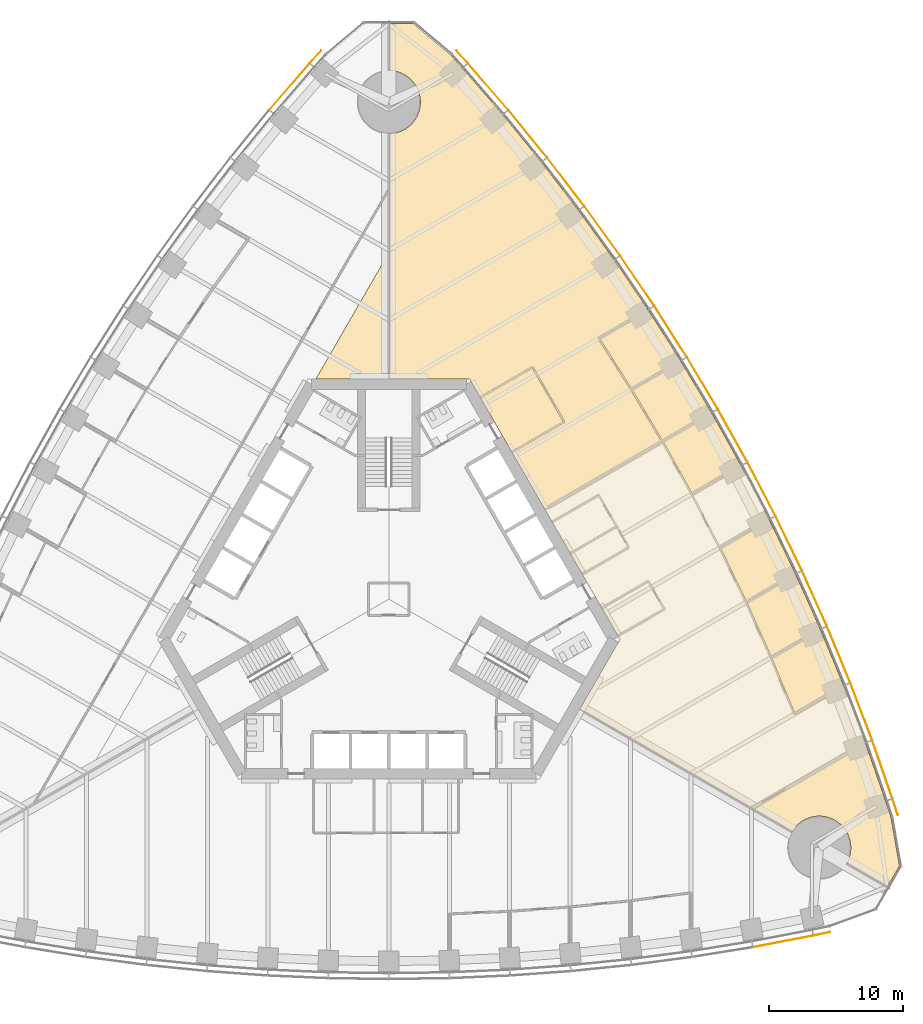
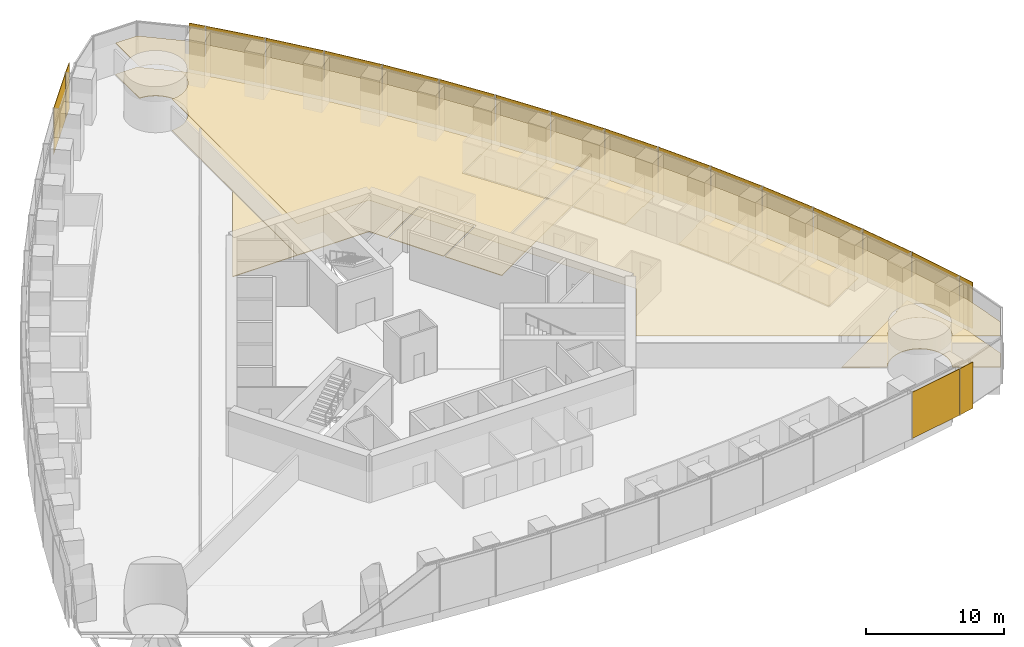
# One storey, part 16 of 18: 20 shading devices, 11 coverings.
"""IFC4 building model written with IfcOpenShell, lengths in metres."""

from ifc_helpers import new_model, si_unit, direction, frame, origin, origin_2d, place, context, subcontext, project, spatial, polyline, rectangle, outline, extrude, material, layer, layer_set, type_object, element, save


model = new_model("IFC4")

# Units and contexts
model_context = context("Model", 3, precision=1e-05, world=origin(), true_north=direction((0.0, 1.0)))
body_context = subcontext(model_context, "Body", "Model", "MODEL_VIEW")
ifc_project = project(units=[si_unit("LENGTHUNIT", "METRE"), si_unit("AREAUNIT", "SQUARE_METRE"), si_unit("VOLUMEUNIT", "CUBIC_METRE"), si_unit("PLANEANGLEUNIT", "RADIAN"), si_unit("MASSUNIT", "GRAM", prefix="KILO")], contexts=[model_context])

# Site, building, storey
site_placement = place(None, origin())
site = spatial("IfcSite", under=ifc_project, at=site_placement, CompositionType="ELEMENT")
building_placement = place(site_placement, origin())
building = spatial("IfcBuilding", under=site, at=building_placement, Name="Trefoil Bronze Tower", CompositionType="ELEMENT")
storey_placement = place(building_placement, frame((0.0, 0.0, 50.10009765625)))
storey = spatial("IfcBuildingStorey", under=building, at=storey_placement, Name="L11", CompositionType="ELEMENT", Elevation=50.10009765625)

# Shading devices
ifc_material_1 = material(Name="Perforated bronze sheet", Category="bronze")
ifc_layer_1 = layer(ifc_material_1, 0.0400390625)
ifc_layer_set_1 = layer_set([ifc_layer_1], Name="Bronze solar screen panel")
shading_device_type = type_object("IfcShadingDeviceType", Name="Bronze solar screen panel", PredefinedType="SHUTTER", material=ifc_layer_set_1)
shading_device_1_placement = place(storey_placement, frame((29.351806640625, -25.478515625, 0.0498046875), z_axis=(0.0, 0.0, 1.0), x_axis=(0.982049823817, 0.188621694249, 0.0)))
element("IfcShadingDevice", 1, at=shading_device_1_placement, inside=storey, type_object=shading_device_type, Name="Solar screen CW-A L11 F1 bay 15", PredefinedType="SHUTTER", context=body_context, shape_type="SweptSolid", body=[
    extrude(rectangle(XDim=4.55224609375, YDim=0.0400390625, at=origin_2d()), origin(), (0.0, 0.0, 1.0), 4.10009765625),
])
for number, where, z_axis, x_axis, name in (
    (2, (32.2431640625, -24.91064453125, 0.0498046875), (0.0, 0.0, 1.0), (0.978302717041, 0.207180582657, 0.0), "Solar screen CW-A L11 F1 bay 16"),
    (3, (37.69482421875, -15.468017578125, 0.0498046875), (0.0, 0.0, 1.0), (-0.309727710769, 0.950825296877, 0.0), "Solar screen CW-A L11 F2 bay 1"),
):
    element("IfcShadingDevice", number, at=place(storey_placement, frame(where, z_axis=z_axis, x_axis=x_axis)), inside=storey, type_object=shading_device_type, Name=name, PredefinedType="SHUTTER", context=body_context, shape_type="SweptSolid", body=[
        extrude(rectangle(XDim=1.260498046875, YDim=0.0400390625, at=origin_2d()), origin(), (0.0, 0.0, 1.0), 4.10009765625),
    ])
shading_device_2_placement = place(storey_placement, frame((36.740966796875, -12.68017578125, 0.0498046875), z_axis=(0.0, 0.0, 1.0), x_axis=(-0.327673732984, 0.944790942332, 0.0)))
element("IfcShadingDevice", 4, at=shading_device_2_placement, inside=storey, type_object=shading_device_type, Name="Solar screen CW-A L11 F2 bay 2", PredefinedType="SHUTTER", context=body_context, shape_type="SweptSolid", body=[
    extrude(rectangle(XDim=4.55224609375, YDim=0.0400390625, at=origin_2d()), origin(), (0.0, 0.0, 1.0), 4.10009765625),
])
shading_device_3_placement = place(storey_placement, frame((35.1748046875, -8.3701171875, 0.0498046875), z_axis=(0.0, 0.0, 1.0), x_axis=(-0.355370585687, 0.934725492767, 0.0)))
element("IfcShadingDevice", 5, at=shading_device_3_placement, inside=storey, type_object=shading_device_type, Name="Solar screen CW-A L11 F2 bay 3", PredefinedType="SHUTTER", context=body_context, shape_type="SweptSolid", body=[
    extrude(rectangle(XDim=4.5283203125, YDim=0.0400390625, at=origin_2d()), origin(), (0.0, 0.0, 1.0), 4.10009765625),
])
shading_device_4_placement = place(storey_placement, frame((33.49072265625, -4.128173828125, 0.0498046875), z_axis=(0.0, 0.0, 1.0), x_axis=(-0.382629580712, 0.923901836758, 0.0)))
element("IfcShadingDevice", 6, at=shading_device_4_placement, inside=storey, type_object=shading_device_type, Name="Solar screen CW-A L11 F2 bay 4", PredefinedType="SHUTTER", context=body_context, shape_type="SweptSolid", body=[
    extrude(rectangle(XDim=4.5087890625, YDim=0.0400390625, at=origin_2d()), origin(), (0.0, 0.0, 1.0), 4.10009765625),
])
shading_device_5_placement = place(storey_placement, frame((31.68994140625, 0.04638671875, 0.0498046875), z_axis=(0.0, 0.0, 1.0), x_axis=(-0.40945635808, 0.912329705111, 0.0)))
element("IfcShadingDevice", 7, at=shading_device_5_placement, inside=storey, type_object=shading_device_type, Name="Solar screen CW-A L11 F2 bay 5", PredefinedType="SHUTTER", context=body_context, shape_type="SweptSolid", body=[
    extrude(rectangle(XDim=4.493408203125, YDim=0.0400390625, at=origin_2d()), origin(), (0.0, 0.0, 1.0), 4.10009765625),
])
shading_device_6_placement = place(storey_placement, frame((29.77392578125, 4.154541015625, 0.0498046875), z_axis=(0.0, 0.0, 1.0), x_axis=(-0.4358553457, 0.900016731858, 0.0)))
element("IfcShadingDevice", 8, at=shading_device_6_placement, inside=storey, type_object=shading_device_type, Name="Solar screen CW-A L11 F2 bay 6", PredefinedType="SHUTTER", context=body_context, shape_type="SweptSolid", body=[
    extrude(rectangle(XDim=4.48193359375, YDim=0.0400390625, at=origin_2d()), origin(), (0.0, 0.0, 1.0), 4.10009765625),
])
shading_device_7_placement = place(storey_placement, frame((27.74365234375, 8.1962890625, 0.0498046875), z_axis=(0.0, 0.0, 1.0), x_axis=(-0.46182981834, 0.886968555752, 0.0)))
element("IfcShadingDevice", 9, at=shading_device_7_placement, inside=storey, type_object=shading_device_type, Name="Solar screen CW-A L11 F2 bay 7", PredefinedType="SHUTTER", context=body_context, shape_type="SweptSolid", body=[
    extrude(rectangle(XDim=4.474365234375, YDim=0.0400390625, at=origin_2d()), origin(), (0.0, 0.0, 1.0), 4.10009765625),
])
for number, where, z_axis, x_axis, name in (
    (10, (25.599365234375, 12.172607421875, 0.0498046875), (0.0, 0.0, 1.0), (-0.487381940453, 0.873188893722, 0.0), "Solar screen CW-A L11 F2 bay 8"),
    (11, (23.341552734375, 16.083251953125, 0.0498046875), (0.0, 0.0, 1.0), (-0.51251279404, 0.858679588639, 0.0), "Solar screen CW-A L11 F2 bay 9"),
):
    element("IfcShadingDevice", number, at=place(storey_placement, frame(where, z_axis=z_axis, x_axis=x_axis)), inside=storey, type_object=shading_device_type, Name=name, PredefinedType="SHUTTER", context=body_context, shape_type="SweptSolid", body=[
        extrude(rectangle(XDim=4.470458984375, YDim=0.0400390625, at=origin_2d()), origin(), (0.0, 0.0, 1.0), 4.10009765625),
    ])
shading_device_8_placement = place(storey_placement, frame((20.97021484375, 19.928466796875, 0.0498046875), z_axis=(0.0, 0.0, 1.0), x_axis=(-0.537222392469, 0.843440632783, 0.0)))
element("IfcShadingDevice", 12, at=shading_device_8_placement, inside=storey, type_object=shading_device_type, Name="Solar screen CW-A L11 F2 bay 10", PredefinedType="SHUTTER", context=body_context, shape_type="SweptSolid", body=[
    extrude(rectangle(XDim=4.474365234375, YDim=0.0400390625, at=origin_2d()), origin(), (0.0, 0.0, 1.0), 4.10009765625),
])
shading_device_9_placement = place(storey_placement, frame((18.48486328125, 23.707763671875, 0.0498046875), z_axis=(0.0, 0.0, 1.0), x_axis=(-0.56150968077, 0.827470167681, 0.0)))
element("IfcShadingDevice", 13, at=shading_device_9_placement, inside=storey, type_object=shading_device_type, Name="Solar screen CW-A L11 F2 bay 11", PredefinedType="SHUTTER", context=body_context, shape_type="SweptSolid", body=[
    extrude(rectangle(XDim=4.48193359375, YDim=0.0400390625, at=origin_2d()), origin(), (0.0, 0.0, 1.0), 4.10009765625),
])
shading_device_10_placement = place(storey_placement, frame((15.88525390625, 27.421142578125, 0.0498046875), z_axis=(0.0, 0.0, 1.0), x_axis=(-0.585372522213, 0.810764460394, 0.0)))
element("IfcShadingDevice", 14, at=shading_device_10_placement, inside=storey, type_object=shading_device_type, Name="Solar screen CW-A L11 F2 bay 12", PredefinedType="SHUTTER", context=body_context, shape_type="SweptSolid", body=[
    extrude(rectangle(XDim=4.493408203125, YDim=0.0400390625, at=origin_2d()), origin(), (0.0, 0.0, 1.0), 4.10009765625),
])
shading_device_11_placement = place(storey_placement, frame((13.170166015625, 31.06787109375, 0.0498046875), z_axis=(0.0, 0.0, 1.0), x_axis=(-0.608807670879, 0.793317855515, 0.0)))
element("IfcShadingDevice", 15, at=shading_device_11_placement, inside=storey, type_object=shading_device_type, Name="Solar screen CW-A L11 F2 bay 13", PredefinedType="SHUTTER", context=body_context, shape_type="SweptSolid", body=[
    extrude(rectangle(XDim=4.5087890625, YDim=0.0400390625, at=origin_2d()), origin(), (0.0, 0.0, 1.0), 4.10009765625),
])
shading_device_12_placement = place(storey_placement, frame((10.338623046875, 34.6474609375, 0.0498046875), z_axis=(0.0, 0.0, 1.0), x_axis=(-0.631810729457, 0.775122701346, 0.0)))
element("IfcShadingDevice", 16, at=shading_device_12_placement, inside=storey, type_object=shading_device_type, Name="Solar screen CW-A L11 F2 bay 14", PredefinedType="SHUTTER", context=body_context, shape_type="SweptSolid", body=[
    extrude(rectangle(XDim=4.5283203125, YDim=0.0400390625, at=origin_2d()), origin(), (0.0, 0.0, 1.0), 4.10009765625),
])
shading_device_13_placement = place(storey_placement, frame((7.38916015625, 38.15869140625, 0.0498046875), z_axis=(0.0, 0.0, 1.0), x_axis=(-0.654376090833, 0.756169248083, 0.0)))
element("IfcShadingDevice", 17, at=shading_device_13_placement, inside=storey, type_object=shading_device_type, Name="Solar screen CW-A L11 F2 bay 15", PredefinedType="SHUTTER", context=body_context, shape_type="SweptSolid", body=[
    extrude(rectangle(XDim=4.55224609375, YDim=0.0400390625, at=origin_2d()), origin(), (0.0, 0.0, 1.0), 4.10009765625),
])
for number, where, z_axis, x_axis, name in (
    (18, (5.45166015625, 40.378662109375, 0.0498046875), (0.0, 0.0, 1.0), (-0.668575006272, 0.743644714221, 0.0), "Solar screen CW-A L11 F2 bay 16"),
    (19, (-5.45166015625, 40.378662109375, 0.0498046875), (0.0, 0.0, 1.0), (-0.668575006272, -0.743644714221, 0.0), "Solar screen CW-A L11 F3 bay 1"),
):
    element("IfcShadingDevice", number, at=place(storey_placement, frame(where, z_axis=z_axis, x_axis=x_axis)), inside=storey, type_object=shading_device_type, Name=name, PredefinedType="SHUTTER", context=body_context, shape_type="SweptSolid", body=[
        extrude(rectangle(XDim=1.260498046875, YDim=0.0400390625, at=origin_2d()), origin(), (0.0, 0.0, 1.0), 4.10009765625),
    ])
shading_device_14_placement = place(storey_placement, frame((-7.38916015625, 38.15869140625, 0.0498046875), z_axis=(0.0, 0.0, 1.0), x_axis=(-0.654376090833, -0.756169248083, 0.0)))
element("IfcShadingDevice", 20, at=shading_device_14_placement, inside=storey, type_object=shading_device_type, Name="Solar screen CW-A L11 F3 bay 2", PredefinedType="SHUTTER", context=body_context, shape_type="SweptSolid", body=[
    extrude(rectangle(XDim=4.55224609375, YDim=0.0400390625, at=origin_2d()), origin(), (0.0, 0.0, 1.0), 4.10009765625),
])

# Coverings
ifc_material_2 = material(Name="Acoustic ceiling panels", Category="mineral fibre")
ifc_layer_2 = layer(ifc_material_2, 0.02001953125)
ifc_layer_set_2 = layer_set([ifc_layer_2], Name="Office ceiling 20")
covering_type_1 = type_object("IfcCoveringType", Name="Office ceiling 20", PredefinedType="CEILING", material=ifc_layer_set_2)
covering_1_placement = place(storey_placement, frame((0.0, 0.0, 2.89990234375)))
element("IfcCovering", 21, at=covering_1_placement, inside=storey, type_object=covering_type_1, Name="Ceiling L11 Open-plan office F2", PredefinedType="CEILING", context=body_context, shape_type="SweptSolid", body=[
    extrude(outline(polyline([(5.4814453125, 39.537841796875), (8.47998046875, 36.072998046875), (11.360107421875, 32.53955078125), (14.123291015625, 28.938720703125), (16.771240234375, 25.271484375), (19.3046875, 21.537841796875), (21.724609375, 17.73876953125), (24.031005859375, 13.87451171875), (26.224609375, 9.944580078125), (28.3046875, 5.949462890625), (30.271240234375, 1.888671875), (32.123291015625, -2.23828125), (33.860107421875, -6.431640625), (35.47998046875, -10.6923828125), (36.9814453125, -15.021728515625), (37.381103515625, -16.248779296875), (38.0146484375, -19.841552734375), (37.110595703125, -21.4072265625), (34.084716796875, -19.661865234375), (34.115478515625, -19.60791015625), (34.167236328125, -19.5048828125), (34.214111328125, -19.3994140625), (34.255615234375, -19.291748046875), (34.291748046875, -19.18212890625), (34.322509765625, -19.071044921875), (34.347900390625, -18.95849609375), (34.367431640625, -18.8447265625), (34.381591796875, -18.730224609375), (34.39013671875, -18.615234375), (34.392822265625, -18.5), (34.39013671875, -18.384765625), (34.381591796875, -18.269775390625), (34.367431640625, -18.1552734375), (34.347900390625, -18.04150390625), (34.322509765625, -17.928955078125), (34.291748046875, -17.81787109375), (34.255615234375, -17.708251953125), (34.214111328125, -17.6005859375), (34.167236328125, -17.4951171875), (34.115478515625, -17.39208984375), (34.05859375, -17.2919921875), (33.996826171875, -17.1943359375), (33.930419921875, -17.10009765625), (33.859619140625, -17.00927734375), (33.7841796875, -16.921875), (33.70458984375, -16.83837890625), (33.62109375, -16.7587890625), (33.53369140625, -16.683349609375), (33.44287109375, -16.612548828125), (33.348388671875, -16.5458984375), (33.251220703125, -16.484375), (33.150634765625, -16.427490234375), (33.047607421875, -16.37548828125), (32.942138671875, -16.328857421875), (32.834716796875, -16.287353515625), (32.72509765625, -16.251220703125), (32.614013671875, -16.220458984375), (32.50146484375, -16.1953125), (32.3876953125, -16.17529296875), (32.273193359375, -16.161376953125), (32.158203125, -16.15283203125), (32.04296875, -16.14990234375), (31.927490234375, -16.15283203125), (31.8125, -16.161376953125), (31.697998046875, -16.17529296875), (31.58447265625, -16.1953125), (31.471923828125, -16.220458984375), (31.36083984375, -16.251220703125), (31.251220703125, -16.287353515625), (31.1435546875, -16.328857421875), (31.0380859375, -16.37548828125), (30.935302734375, -16.427490234375), (30.834716796875, -16.484375), (30.7373046875, -16.5458984375), (30.64306640625, -16.612548828125), (30.552001953125, -16.683349609375), (30.46484375, -16.7587890625), (30.381103515625, -16.83837890625), (30.3017578125, -16.921875), (30.226318359375, -17.00927734375), (30.155517578125, -17.10009765625), (30.089111328125, -17.1943359375), (30.02734375, -17.2919921875), (30.0146484375, -17.31396484375), (14.205810546875, -8.194580078125), (17.205078125, -3.0), (6.00439453125, 16.39990234375), (0.006103515625, 16.39990234375), (0.012939453125, 34.650390625), (0.115234375, 34.65283203125), (0.230224609375, 34.661376953125), (0.3447265625, 34.67529296875), (0.45849609375, 34.6953125), (0.571044921875, 34.720458984375), (0.68212890625, 34.751220703125), (0.791748046875, 34.787353515625), (0.8994140625, 34.828857421875), (1.0048828125, 34.87548828125), (1.10791015625, 34.927490234375), (1.2080078125, 34.984375), (1.3056640625, 35.0458984375), (1.39990234375, 35.112548828125), (1.49072265625, 35.183349609375), (1.578125, 35.2587890625), (1.66162109375, 35.33837890625), (1.7412109375, 35.421875), (1.816650390625, 35.50927734375), (1.887451171875, 35.60009765625), (1.9541015625, 35.6943359375), (2.015625, 35.7919921875), (2.072509765625, 35.89208984375), (2.12451171875, 35.9951171875), (2.171142578125, 36.1005859375), (2.212646484375, 36.208251953125), (2.248779296875, 36.31787109375), (2.279541015625, 36.428955078125), (2.3046875, 36.54150390625), (2.32470703125, 36.6552734375), (2.338623046875, 36.769775390625), (2.34716796875, 36.884765625), (2.35009765625, 37.0), (2.34716796875, 37.115234375), (2.338623046875, 37.230224609375), (2.32470703125, 37.3447265625), (2.3046875, 37.45849609375), (2.279541015625, 37.571044921875), (2.248779296875, 37.68212890625), (2.212646484375, 37.791748046875), (2.171142578125, 37.8994140625), (2.12451171875, 38.0048828125), (2.072509765625, 38.10791015625), (2.015625, 38.2080078125), (1.9541015625, 38.3056640625), (1.887451171875, 38.39990234375), (1.816650390625, 38.49072265625), (1.7412109375, 38.578125), (1.66162109375, 38.66162109375), (1.578125, 38.7412109375), (1.49072265625, 38.816650390625), (1.39990234375, 38.887451171875), (1.3056640625, 38.9541015625), (1.2080078125, 39.015625), (1.10791015625, 39.072509765625), (1.0048828125, 39.12451171875), (0.8994140625, 39.171142578125), (0.791748046875, 39.212646484375), (0.68212890625, 39.248779296875), (0.571044921875, 39.279541015625), (0.45849609375, 39.3046875), (0.3447265625, 39.32470703125), (0.230224609375, 39.338623046875), (0.115234375, 39.34716796875), (0.014892578125, 39.349609375), (0.01611328125, 42.84228515625), (1.82421875, 42.84228515625), (4.618896484375, 40.497314453125), (5.4814453125, 39.537841796875)])), origin(), (0.0, 0.0, 1.0), 0.02001953125),
])
ifc_material_3 = material(Name="Raised access floor panels", Category="steel")
ifc_layer_3 = layer(ifc_material_3, 0.050048828125)
ifc_layer_set_3 = layer_set([ifc_layer_3], Name="Raised access floor 150")
covering_type_2 = type_object("IfcCoveringType", Name="Raised access floor 150", PredefinedType="FLOORING", material=ifc_layer_set_3)
covering_2_placement = place(storey_placement, frame((0.0, 0.0, 0.099853515625)))
element("IfcCovering", 22, at=covering_2_placement, inside=storey, type_object=covering_type_2, Name="Raised floor L11 Boardroom F2", PredefinedType="FLOORING", context=body_context, shape_type="SweptSolid", body=[
    extrude(outline(polyline([(30.0146484375, -17.31396484375), (27.11181640625, -15.639404296875), (34.140625, -11.581298828125), (34.090576171875, -11.49462890625), (35.47998046875, -10.6923828125), (36.9814453125, -15.021728515625), (37.381103515625, -16.248779296875), (38.0146484375, -19.841552734375), (37.110595703125, -21.4072265625), (34.084716796875, -19.661865234375), (34.115478515625, -19.60791015625), (34.167236328125, -19.5048828125), (34.214111328125, -19.3994140625), (34.255615234375, -19.291748046875), (34.291748046875, -19.18212890625), (34.322509765625, -19.071044921875), (34.347900390625, -18.95849609375), (34.367431640625, -18.8447265625), (34.381591796875, -18.730224609375), (34.39013671875, -18.615234375), (34.392822265625, -18.5), (34.39013671875, -18.384765625), (34.381591796875, -18.269775390625), (34.367431640625, -18.1552734375), (34.347900390625, -18.04150390625), (34.322509765625, -17.928955078125), (34.291748046875, -17.81787109375), (34.255615234375, -17.708251953125), (34.214111328125, -17.6005859375), (34.167236328125, -17.4951171875), (34.115478515625, -17.39208984375), (34.05859375, -17.2919921875), (33.996826171875, -17.1943359375), (33.930419921875, -17.10009765625), (33.859619140625, -17.00927734375), (33.7841796875, -16.921875), (33.70458984375, -16.83837890625), (33.62109375, -16.7587890625), (33.53369140625, -16.683349609375), (33.44287109375, -16.612548828125), (33.348388671875, -16.5458984375), (33.251220703125, -16.484375), (33.150634765625, -16.427490234375), (33.047607421875, -16.37548828125), (32.942138671875, -16.328857421875), (32.834716796875, -16.287353515625), (32.72509765625, -16.251220703125), (32.614013671875, -16.220458984375), (32.50146484375, -16.1953125), (32.3876953125, -16.17529296875), (32.273193359375, -16.161376953125), (32.158203125, -16.15283203125), (32.04296875, -16.14990234375), (31.927490234375, -16.15283203125), (31.8125, -16.161376953125), (31.697998046875, -16.17529296875), (31.58447265625, -16.1953125), (31.471923828125, -16.220458984375), (31.36083984375, -16.251220703125), (31.251220703125, -16.287353515625), (31.1435546875, -16.328857421875), (31.0380859375, -16.37548828125), (30.935302734375, -16.427490234375), (30.834716796875, -16.484375), (30.7373046875, -16.5458984375), (30.64306640625, -16.612548828125), (30.552001953125, -16.683349609375), (30.46484375, -16.7587890625), (30.381103515625, -16.83837890625), (30.3017578125, -16.921875), (30.226318359375, -17.00927734375), (30.155517578125, -17.10009765625), (30.089111328125, -17.1943359375), (30.02734375, -17.2919921875), (30.0146484375, -17.31396484375)])), origin(), (0.0, 0.0, 1.0), 0.050048828125),
])
covering_3_placement = place(storey_placement, frame((0.0, 0.0, 0.099853515625)))
element("IfcCovering", 23, at=covering_3_placement, inside=storey, type_object=covering_type_2, Name="Raised floor L11 Reception F2", PredefinedType="FLOORING", context=body_context, shape_type="SweptSolid", body=[
    extrude(outline(polyline([(6.834716796875, 14.9619140625), (10.679931640625, 17.181884765625), (12.969970703125, 13.215576171875), (9.124755859375, 10.99560546875), (6.834716796875, 14.9619140625)])), origin(), (0.0, 0.0, 1.0), 0.050048828125),
])
covering_4_placement = place(storey_placement, frame((0.0, 0.0, 0.099853515625)))
element("IfcCovering", 24, at=covering_4_placement, inside=storey, type_object=covering_type_2, Name="Raised floor L11 Office F2", PredefinedType="FLOORING", context=body_context, shape_type="SweptSolid", body=[
    extrude(outline(polyline([(21.724609375, 17.73876953125), (20.355712890625, 16.948486328125), (20.32568359375, 17.00048828125), (18.063720703125, 15.694580078125), (15.70849609375, 19.392333984375), (17.964111328125, 20.694580078125), (17.93408203125, 20.74658203125), (19.3046875, 21.537841796875), (21.724609375, 17.73876953125)])), origin(), (0.0, 0.0, 1.0), 0.050048828125),
])
covering_5_placement = place(storey_placement, frame((0.0, 0.0, 0.099853515625)))
element("IfcCovering", 25, at=covering_5_placement, inside=storey, type_object=covering_type_2, Name="Raised floor L11 Office F2", PredefinedType="FLOORING", context=body_context, shape_type="SweptSolid", body=[
    extrude(outline(polyline([(21.724609375, 17.73876953125), (24.031005859375, 13.87451171875), (22.662841796875, 13.08447265625), (22.625244140625, 13.1494140625), (20.364013671875, 11.84375), (18.126708984375, 15.59228515625), (20.385498046875, 16.896484375), (20.355712890625, 16.948486328125), (21.724609375, 17.73876953125)])), origin(), (0.0, 0.0, 1.0), 0.050048828125),
])
covering_6_placement = place(storey_placement, frame((0.0, 0.0, 0.099853515625)))
element("IfcCovering", 26, at=covering_6_placement, inside=storey, type_object=covering_type_2, Name="Raised floor L11 Office F2", PredefinedType="FLOORING", context=body_context, shape_type="SweptSolid", body=[
    extrude(outline(polyline([(24.031005859375, 13.87451171875), (26.224609375, 9.944580078125), (24.855712890625, 9.154296875), (24.82568359375, 9.206298828125), (22.566650390625, 7.902099609375), (20.43896484375, 11.7138671875), (22.7001953125, 13.019287109375), (22.662841796875, 13.08447265625), (24.031005859375, 13.87451171875)])), origin(), (0.0, 0.0, 1.0), 0.050048828125),
])
covering_7_placement = place(storey_placement, frame((0.0, 0.0, 0.099853515625)))
element("IfcCovering", 27, at=covering_7_placement, inside=storey, type_object=covering_type_2, Name="Raised floor L11 Office F2", PredefinedType="FLOORING", context=body_context, shape_type="SweptSolid", body=[
    extrude(outline(polyline([(28.3046875, 5.949462890625), (30.271240234375, 1.888671875), (28.897705078125, 1.095703125), (28.867919921875, 1.147705078125), (26.616455078125, -0.152099609375), (24.702392578125, 3.80029296875), (26.964111328125, 5.106201171875), (26.93408203125, 5.158203125), (28.3046875, 5.949462890625)])), origin(), (0.0, 0.0, 1.0), 0.050048828125),
])
covering_8_placement = place(storey_placement, frame((0.0, 0.0, 0.099853515625)))
element("IfcCovering", 28, at=covering_8_placement, inside=storey, type_object=covering_type_2, Name="Raised floor L11 Office F2", PredefinedType="FLOORING", context=body_context, shape_type="SweptSolid", body=[
    extrude(outline(polyline([(32.123291015625, -2.23828125), (30.745849609375, -3.033447265625), (30.7158203125, -2.9814453125), (28.47021484375, -4.278076171875), (26.66748046875, -0.26123046875), (28.927734375, 1.043701171875), (28.897705078125, 1.095703125), (30.271240234375, 1.888671875), (32.123291015625, -2.23828125)])), origin(), (0.0, 0.0, 1.0), 0.050048828125),
])
covering_9_placement = place(storey_placement, frame((0.0, 0.0, 0.099853515625)))
element("IfcCovering", 29, at=covering_9_placement, inside=storey, type_object=covering_type_2, Name="Raised floor L11 Meeting room F2", PredefinedType="FLOORING", context=body_context, shape_type="SweptSolid", body=[
    extrude(outline(polyline([(32.123291015625, -2.23828125), (33.860107421875, -6.431640625), (32.477294921875, -7.22998046875), (32.447265625, -7.177978515625), (30.208740234375, -8.470458984375), (28.518310546875, -4.388916015625), (30.77587890625, -3.08544921875), (30.745849609375, -3.033447265625), (32.123291015625, -2.23828125)])), origin(), (0.0, 0.0, 1.0), 0.050048828125),
])
covering_10_placement = place(storey_placement, frame((0.0, 0.0, 0.099853515625)))
element("IfcCovering", 30, at=covering_10_placement, inside=storey, type_object=covering_type_2, Name="Raised floor L11 Open-plan office F2", PredefinedType="FLOORING", context=body_context, shape_type="SweptSolid", body=[
    extrude(outline(polyline([(8.47998046875, 36.072998046875), (11.360107421875, 32.53955078125), (14.123291015625, 28.938720703125), (16.771240234375, 25.271484375), (19.3046875, 21.537841796875), (17.93408203125, 20.74658203125), (17.904052734375, 20.798583984375), (15.593994140625, 19.46484375), (15.6240234375, 19.412841796875), (15.573486328125, 19.380615234375), (17.992919921875, 15.582275390625), (20.260009765625, 11.78369140625), (11.575927734375, 6.77001953125), (11.61279296875, 6.705810546875), (11.604248046875, 6.700927734375), (9.184814453125, 10.8916015625), (13.081787109375, 13.1416015625), (13.052001953125, 13.193603515625), (13.103759765625, 13.223388671875), (10.75390625, 17.293701171875), (10.701904296875, 17.263916015625), (10.671875, 17.31591796875), (6.774658203125, 15.06591796875), (6.00439453125, 16.39990234375), (0.006103515625, 16.39990234375), (0.012939453125, 34.650390625), (0.115234375, 34.65283203125), (0.230224609375, 34.661376953125), (0.3447265625, 34.67529296875), (0.45849609375, 34.6953125), (0.571044921875, 34.720458984375), (0.68212890625, 34.751220703125), (0.791748046875, 34.787353515625), (0.8994140625, 34.828857421875), (1.0048828125, 34.87548828125), (1.10791015625, 34.927490234375), (1.2080078125, 34.984375), (1.3056640625, 35.0458984375), (1.39990234375, 35.112548828125), (1.49072265625, 35.183349609375), (1.578125, 35.2587890625), (1.66162109375, 35.33837890625), (1.7412109375, 35.421875), (1.816650390625, 35.50927734375), (1.887451171875, 35.60009765625), (1.9541015625, 35.6943359375), (2.015625, 35.7919921875), (2.072509765625, 35.89208984375), (2.12451171875, 35.9951171875), (2.171142578125, 36.1005859375), (2.212646484375, 36.208251953125), (2.248779296875, 36.31787109375), (2.279541015625, 36.428955078125), (2.3046875, 36.54150390625), (2.32470703125, 36.6552734375), (2.338623046875, 36.769775390625), (2.34716796875, 36.884765625), (2.35009765625, 37.0), (2.34716796875, 37.115234375), (2.338623046875, 37.230224609375), (2.32470703125, 37.3447265625), (2.3046875, 37.45849609375), (2.279541015625, 37.571044921875), (2.248779296875, 37.68212890625), (2.212646484375, 37.791748046875), (2.171142578125, 37.8994140625), (2.12451171875, 38.0048828125), (2.072509765625, 38.10791015625), (2.015625, 38.2080078125), (1.9541015625, 38.3056640625), (1.887451171875, 38.39990234375), (1.816650390625, 38.49072265625), (1.7412109375, 38.578125), (1.66162109375, 38.66162109375), (1.578125, 38.7412109375), (1.49072265625, 38.816650390625), (1.39990234375, 38.887451171875), (1.3056640625, 38.9541015625), (1.2080078125, 39.015625), (1.10791015625, 39.072509765625), (1.0048828125, 39.12451171875), (0.8994140625, 39.171142578125), (0.791748046875, 39.212646484375), (0.68212890625, 39.248779296875), (0.571044921875, 39.279541015625), (0.45849609375, 39.3046875), (0.3447265625, 39.32470703125), (0.230224609375, 39.338623046875), (0.115234375, 39.34716796875), (0.014892578125, 39.349609375), (0.01611328125, 42.84228515625), (1.82421875, 42.84228515625), (4.618896484375, 40.497314453125), (5.4814453125, 39.537841796875), (8.47998046875, 36.072998046875)])), origin(), (0.0, 0.0, 1.0), 0.050048828125),
])
covering_11_placement = place(storey_placement, frame((0.0, 0.0, 0.099853515625)))
element("IfcCovering", 31, at=covering_11_placement, inside=storey, type_object=covering_type_2, Name="Raised floor L11 Open-plan office F3", PredefinedType="FLOORING", context=body_context, shape_type="SweptSolid", body=[
    extrude(outline(polyline([(-0.006103515625, 16.39990234375), (-5.427001953125, 16.39990234375), (-0.009765625, 25.783203125), (-0.006103515625, 16.39990234375)])), origin(), (0.0, 0.0, 1.0), 0.050048828125),
])

save(model, "model.ifc")
